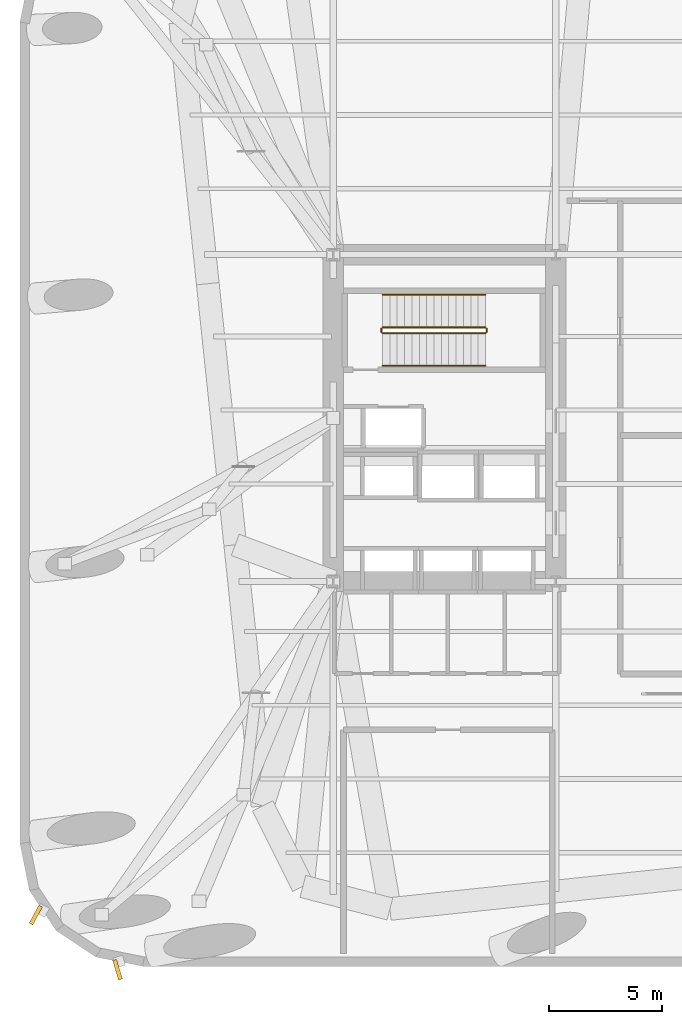
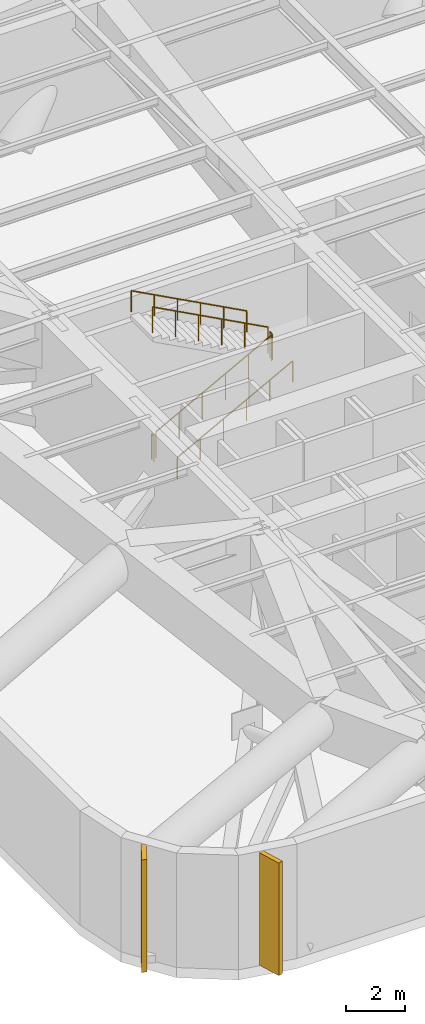
# One storey, part 12 of 16: 6 railings, 2 shading devices.
"""IFC4 building model written with IfcOpenShell, lengths in metres."""

from ifc_helpers import new_model, si_unit, direction, frame, origin, origin_2d, place, context, subcontext, project, spatial, rectangle, circle, extrude, material, type_object, element, save


model = new_model("IFC4")

# Units and contexts
model_context = context("Model", 3, precision=1e-05, world=origin(), true_north=direction((0.0, 1.0)))
body_context = subcontext(model_context, "Body", "Model", "MODEL_VIEW")
ifc_project = project(units=[si_unit("LENGTHUNIT", "METRE"), si_unit("AREAUNIT", "SQUARE_METRE"), si_unit("VOLUMEUNIT", "CUBIC_METRE"), si_unit("PLANEANGLEUNIT", "RADIAN"), si_unit("MASSUNIT", "GRAM", prefix="KILO")], contexts=[model_context])

# Site, building, storey
site_placement = place(None, origin())
site = spatial("IfcSite", under=ifc_project, at=site_placement, CompositionType="ELEMENT")
building_placement = place(site_placement, origin())
building = spatial("IfcBuilding", under=site, at=building_placement, Name="Kolvaren Arena Tower", CompositionType="ELEMENT")
storey_placement = place(building_placement, frame((0.0, 0.0, 94.5)))
storey = spatial("IfcBuildingStorey", under=building, at=storey_placement, Name="L21", CompositionType="ELEMENT", Elevation=94.5)

# Railings
ifc_material_1 = material(Name="Painted galvanized steel", Category="steel")
railing_type_1 = type_object("IfcRailingType", Name="GUARD-ST-110", PredefinedType="GUARDRAIL", material=ifc_material_1)
railing_1_placement = place(storey_placement, frame((16.719970703125, 30.389892578125, 0.17333984375)))
element("IfcRailing", 1, at=railing_1_placement, inside=storey, type_object=railing_type_1, Name="L21 ST-W1 stair guard 1", PredefinedType="GUARDRAIL", context=body_context, shape_type="SweptSolid", body=[
    extrude(circle(Radius=0.02392578125, at=origin_2d()), frame((0.0, 0.0, 1.076171875), z_axis=(0.88174791909, 0.0, 0.471720899664), x_axis=(0.0, 1.0, 0.0)), (0.0, 0.0, 1.0), 5.14453125),
    extrude(circle(Radius=0.02099609375, at=origin_2d()), origin(), (0.0, 0.0, 1.0), 1.052001953125),
    extrude(circle(Radius=0.02099609375, at=origin_2d()), frame((0.9072265625, 0.0, 0.4853515625)), (0.0, 0.0, 1.0), 1.052001953125),
    extrude(circle(Radius=0.02099609375, at=origin_2d()), frame((1.814453125, 0.0, 0.970703125)), (0.0, 0.0, 1.0), 1.052001953125),
    extrude(circle(Radius=0.02099609375, at=origin_2d()), frame((2.7216796875, 0.0, 1.4560546875)), (0.0, 0.0, 1.0), 1.052001953125),
    extrude(circle(Radius=0.02099609375, at=origin_2d()), frame((3.62890625, 0.0, 1.94140625)), (0.0, 0.0, 1.0), 1.052001953125),
    extrude(circle(Radius=0.02099609375, at=origin_2d()), frame((4.5361328125, 0.0, 2.4267578125)), (0.0, 0.0, 1.0), 1.052001953125),
])
railing_2_placement = place(storey_placement, frame((21.305908203125, 30.43994140625, 2.60009765625)))
element("IfcRailing", 2, at=railing_2_placement, inside=storey, type_object=railing_type_1, Name="L21 ST-W1 stair guard 2", PredefinedType="GUARDRAIL", context=body_context, shape_type="SweptSolid", body=[
    extrude(circle(Radius=0.02392578125, at=origin_2d()), frame((0.0, 0.0, 1.076171875), z_axis=(0.0, 1.0, 0.0), x_axis=(-1.0, 0.0, 0.0)), (0.0, 0.0, 1.0), 0.150146484375),
    extrude(circle(Radius=0.02099609375, at=origin_2d()), origin(), (0.0, 0.0, 1.0), 1.052001953125),
    extrude(circle(Radius=0.02099609375, at=origin_2d()), frame((0.0, 0.150146484375, 0.0)), (0.0, 0.0, 1.0), 1.052001953125),
])
railing_3_placement = place(storey_placement, frame((21.256103515625, 30.639892578125, 2.7734375)))
element("IfcRailing", 3, at=railing_3_placement, inside=storey, type_object=railing_type_1, Name="L21 ST-W1 stair guard 3", PredefinedType="GUARDRAIL", context=body_context, shape_type="SweptSolid", body=[
    extrude(circle(Radius=0.02392578125, at=origin_2d()), frame((0.0, 0.0, 1.076171875), z_axis=(-0.881767657903, 0.0, 0.471684001717), x_axis=(0.0, -1.0, 0.0)), (0.0, 0.0, 1.0), 5.144287109375),
    extrude(circle(Radius=0.02099609375, at=origin_2d()), origin(), (0.0, 0.0, 1.0), 1.052001953125),
    extrude(circle(Radius=0.02099609375, at=origin_2d()), frame((-0.9072265625, 0.0, 0.4853515625)), (0.0, 0.0, 1.0), 1.052001953125),
    extrude(circle(Radius=0.02099609375, at=origin_2d()), frame((-1.814453125, 0.0, 0.970703125)), (0.0, 0.0, 1.0), 1.052001953125),
    extrude(circle(Radius=0.02099609375, at=origin_2d()), frame((-2.7216796875, 0.0, 1.455810546875)), (0.0, 0.0, 1.0), 1.052001953125),
    extrude(circle(Radius=0.02099609375, at=origin_2d()), frame((-3.62890625, 0.0, 1.941162109375)), (0.0, 0.0, 1.0), 1.052001953125),
    extrude(circle(Radius=0.02099609375, at=origin_2d()), frame((-4.5361328125, 0.0, 2.426513671875)), (0.0, 0.0, 1.0), 1.052001953125),
])
railing_4_placement = place(storey_placement, frame((16.669921875, 30.43994140625, 0.0)))
element("IfcRailing", 4, at=railing_4_placement, inside=storey, type_object=railing_type_1, Name="L21 ST-W1 stair guard 4", PredefinedType="GUARDRAIL", context=body_context, shape_type="SweptSolid", body=[
    extrude(circle(Radius=0.02392578125, at=origin_2d()), frame((0.0, 0.0, 1.076171875), z_axis=(0.0, 1.0, 0.0), x_axis=(-1.0, 0.0, 0.0)), (0.0, 0.0, 1.0), 0.150146484375),
    extrude(circle(Radius=0.02099609375, at=origin_2d()), origin(), (0.0, 0.0, 1.0), 1.052001953125),
    extrude(circle(Radius=0.02099609375, at=origin_2d()), frame((0.0, 0.150146484375, 0.0)), (0.0, 0.0, 1.0), 1.052001953125),
])
ifc_material_2 = material(Name="Brushed stainless steel handrail", Category="steel")
railing_type_2 = type_object("IfcRailingType", Name="HRAIL-900", PredefinedType="HANDRAIL", material=ifc_material_2)
railing_5_placement = place(storey_placement, frame((16.719970703125, 28.949951171875, 0.17333984375)))
element("IfcRailing", 5, at=railing_5_placement, inside=storey, type_object=railing_type_2, Name="L21 ST-W1 stair handrail 1", PredefinedType="HANDRAIL", context=body_context, shape_type="SweptSolid", body=[
    extrude(circle(Radius=0.02392578125, at=origin_2d()), frame((0.0, 0.0, 0.8759765625), z_axis=(0.88174791909, 0.0, 0.471720899664), x_axis=(0.0, 1.0, 0.0)), (0.0, 0.0, 1.0), 5.14453125),
    extrude(circle(Radius=0.02099609375, at=origin_2d()), origin(), (0.0, 0.0, 1.0), 0.851806640625),
    extrude(circle(Radius=0.02099609375, at=origin_2d()), frame((0.9072265625, 0.0, 0.4853515625)), (0.0, 0.0, 1.0), 0.851806640625),
    extrude(circle(Radius=0.02099609375, at=origin_2d()), frame((1.814453125, 0.0, 0.970703125)), (0.0, 0.0, 1.0), 0.851806640625),
    extrude(circle(Radius=0.02099609375, at=origin_2d()), frame((2.7216796875, 0.0, 1.4560546875)), (0.0, 0.0, 1.0), 0.851806640625),
    extrude(circle(Radius=0.02099609375, at=origin_2d()), frame((3.62890625, 0.0, 1.94140625)), (0.0, 0.0, 1.0), 0.851806640625),
    extrude(circle(Radius=0.02099609375, at=origin_2d()), frame((4.5361328125, 0.0, 2.4267578125)), (0.0, 0.0, 1.0), 0.851806640625),
])
railing_6_placement = place(storey_placement, frame((21.256103515625, 32.080078125, 2.7734375)))
element("IfcRailing", 6, at=railing_6_placement, inside=storey, type_object=railing_type_2, Name="L21 ST-W1 stair handrail 2", PredefinedType="HANDRAIL", context=body_context, shape_type="SweptSolid", body=[
    extrude(circle(Radius=0.02392578125, at=origin_2d()), frame((0.0, 0.0, 0.8759765625), z_axis=(-0.881767657903, 0.0, 0.471684001717), x_axis=(0.0, -1.0, 0.0)), (0.0, 0.0, 1.0), 5.144287109375),
    extrude(circle(Radius=0.02099609375, at=origin_2d()), origin(), (0.0, 0.0, 1.0), 0.851806640625),
    extrude(circle(Radius=0.02099609375, at=origin_2d()), frame((-0.9072265625, 0.0, 0.4853515625)), (0.0, 0.0, 1.0), 0.851806640625),
    extrude(circle(Radius=0.02099609375, at=origin_2d()), frame((-1.814453125, 0.0, 0.970703125)), (0.0, 0.0, 1.0), 0.851806640625),
    extrude(circle(Radius=0.02099609375, at=origin_2d()), frame((-2.7216796875, 0.0, 1.455810546875)), (0.0, 0.0, 1.0), 0.851806640625),
    extrude(circle(Radius=0.02099609375, at=origin_2d()), frame((-3.62890625, 0.0, 1.941162109375)), (0.0, 0.0, 1.0), 0.851806640625),
    extrude(circle(Radius=0.02099609375, at=origin_2d()), frame((-4.5361328125, 0.0, 2.426513671875)), (0.0, 0.0, 1.0), 0.851806640625),
])

# Shading devices
ifc_material_3 = material(Name="Precast architectural concrete C50/60 rib fin", Category="concrete")
shading_device_type = type_object("IfcShadingDeviceType", Name="SHAD-FIN-28", PredefinedType="USERDEFINED", material=ifc_material_3)
for number, where, z_axis, x_axis, name in (
    (7, (1.447021484375, 4.757568359375, 0.02001953125), (0.0, 0.0, 1.0), (-0.473348878368, -0.880875041846, 0.0), "Precast 28-Deg Corner Rib Fin (L21)"),
    (8, (5.04638671875, 2.3525390625, 0.02001953125), (0.0, 0.0, 1.0), (0.288174541455, -0.957577899524, 0.0), "Precast 28-Deg Corner Rib Fin (L21)"),
):
    element("IfcShadingDevice", number, at=place(storey_placement, frame(where, z_axis=z_axis, x_axis=x_axis)), inside=storey, type_object=shading_device_type, Name=name, ObjectType="FIN", PredefinedType="USERDEFINED", context=body_context, shape_type="SweptSolid", body=[
        extrude(rectangle(XDim=0.89990234375, YDim=0.179931640625, at=origin_2d()), origin(), (0.0, 0.0, 1.0), 4.669921875),
    ])

save(model, "model.ifc")
